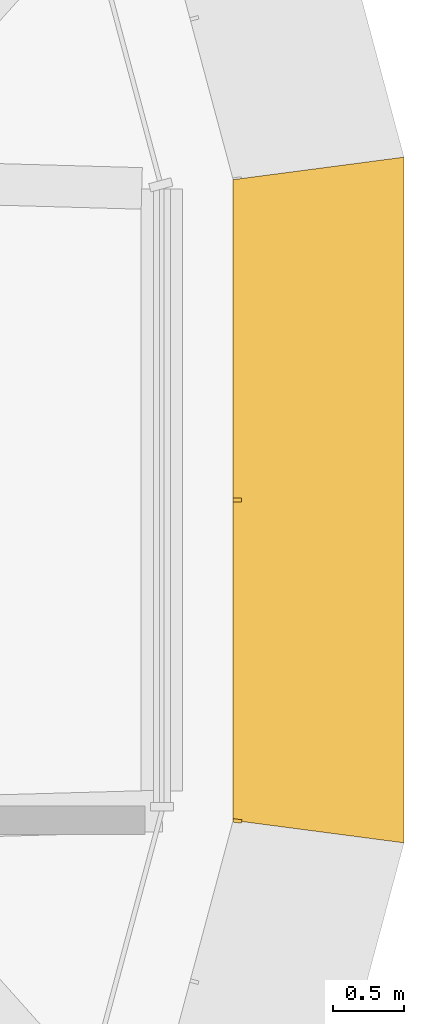
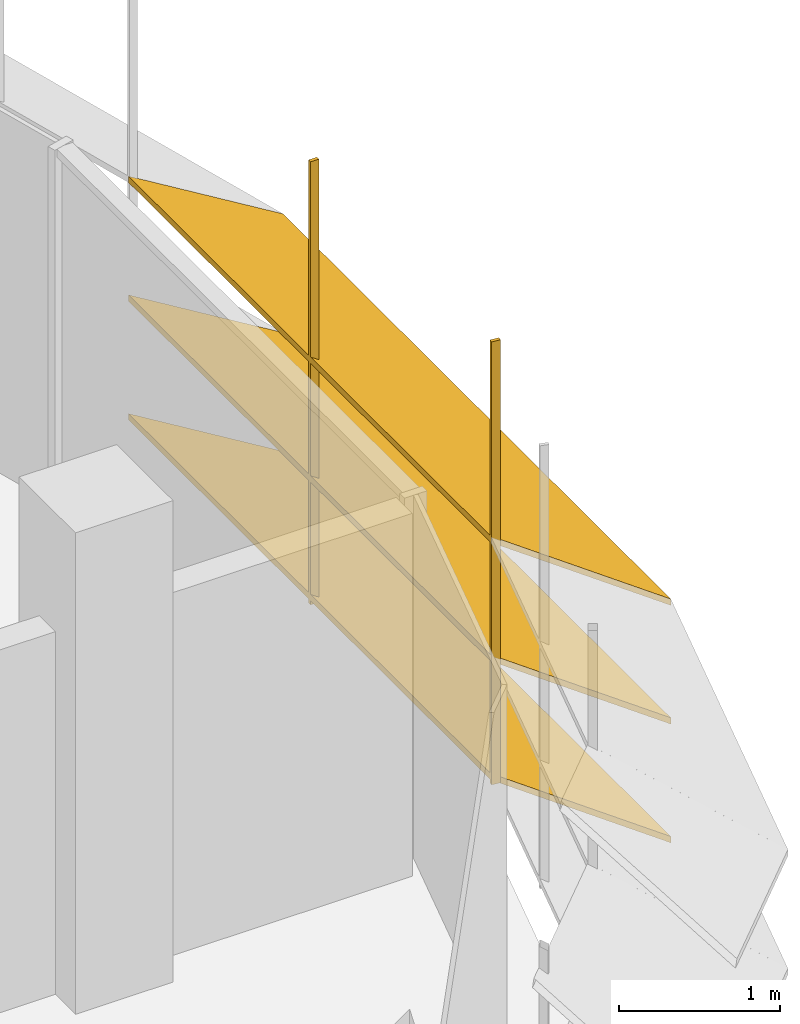
# One storey, part 19 of 19: 1 shading device.
"""IFC4 building model written with IfcOpenShell, lengths in metres."""

import ifcopenshell
import ifcopenshell.guid

model = None  # the IFC model being written
_history = None  # IfcOwnerHistory: only IFC2X3 demands one
_inside = {}  # id of a spatial element -> (the spatial element, [elements in it])
_under = {}  # id of a project, library or spatial element -> (it, [spatial elements below it])
_declared = {}  # id of a project -> (the project, [libraries it declares])
_typed = {}  # id of a type object -> (the type object, [elements of that type])
_made_of = {}  # id of a material, layer set ... -> (it, [elements and type objects made of it])


def new_model(schema):
    """Start an empty IFC model of exactly this schema.

    Asked for "IFC4X3", IfcOpenShell would pick the latest addendum, in which some entities
    have other attributes; the version numbers below select the first issue.
    IFC2X3 requires an IfcOwnerHistory on every rooted entity: one is made here for all.
    """
    global model, _history
    if schema == "IFC4X3":
        model = ifcopenshell.file(schema_version=(4, 3, 0, 0))
    else:
        model = ifcopenshell.file(schema=schema)
    _inside.clear()
    _under.clear()
    _declared.clear()
    _typed.clear()
    _made_of.clear()
    _history = None
    if model.schema == "IFC2X3":
        org = make("IfcOrganization", Name="unknown")
        user = make(
            "IfcPersonAndOrganization",
            ThePerson=make("IfcPerson", FamilyName="unknown"),
            TheOrganization=org,
        )
        app = make(
            "IfcApplication",
            ApplicationDeveloper=org,
            Version="unknown",
            ApplicationFullName="unknown",
            ApplicationIdentifier="unknown",
        )
        _history = make(
            "IfcOwnerHistory",
            OwningUser=user,
            OwningApplication=app,
            ChangeAction="ADDED",
            CreationDate=0,
        )
    return model


def make(cls, **values):
    """One entity of the class cls with the attributes given. An attribute that is None is left unset."""
    return model.create_entity(
        cls, **{name: value for name, value in values.items() if value is not None}
    )


def rooted(cls, **values):
    """An entity with a GlobalId (a new one), such as an element, a storey or a relation."""
    return make(cls, GlobalId=ifcopenshell.guid.new(), OwnerHistory=_history, **values)


def si_unit(unit_type, name, prefix=None):
    """IfcSIUnit, for example si_unit("LENGTHUNIT", "METRE", prefix="MILLI")."""
    return make("IfcSIUnit", UnitType=unit_type, Prefix=prefix, Name=name)


def assignment(units):
    """IfcUnitAssignment: the units of a project."""
    return None if units is None else make("IfcUnitAssignment", Units=units)


def point(xyz):
    """IfcCartesianPoint."""
    return None if xyz is None else make("IfcCartesianPoint", Coordinates=xyz)


def direction(xyz):
    """IfcDirection."""
    return None if xyz is None else make("IfcDirection", DirectionRatios=xyz)


def frame(location, z_axis=None, x_axis=None):
    """IfcAxis2Placement3D, a coordinate frame: its origin and axes. An axis left out is left unset."""
    return make(
        "IfcAxis2Placement3D",
        Location=point(location),
        Axis=direction(z_axis),
        RefDirection=direction(x_axis),
    )


def origin():
    """The frame at (0, 0, 0) with its axes left unset."""
    return frame((0.0, 0.0, 0.0))


def place(relative_to, where):
    """IfcLocalPlacement: puts the frame where relative to a parent placement (None: the world)."""
    return make(
        "IfcLocalPlacement", PlacementRelTo=relative_to, RelativePlacement=where
    )


def context(
    kind, dimensions, precision=None, world=None, true_north=None, identifier=None
):
    """IfcGeometricRepresentationContext, for example the 3D "Model" context."""
    return make(
        "IfcGeometricRepresentationContext",
        ContextIdentifier=identifier,
        ContextType=kind,
        CoordinateSpaceDimension=dimensions,
        Precision=precision,
        WorldCoordinateSystem=world,
        TrueNorth=true_north,
    )


def subcontext(parent, identifier, kind, view, scale=None):
    """IfcGeometricRepresentationSubContext, for example "Body" below "Model"."""
    return make(
        "IfcGeometricRepresentationSubContext",
        ContextIdentifier=identifier,
        ContextType=kind,
        ParentContext=parent,
        TargetScale=scale,
        TargetView=view,
    )


def project(units=None, contexts=None):
    """IfcProject with its units and contexts."""
    return rooted(
        "IfcProject",
        Name="project",
        RepresentationContexts=contexts,
        UnitsInContext=assignment(units),
    )


def spatial(cls, under=None, at=None, **own):
    """A site, building, storey or space (cls), placed at a placement, below another one or the project."""
    s = rooted(cls, ObjectPlacement=at, **own)
    if under is not None:
        _under.setdefault(under.id(), (under, []))[1].append(s)
    return s


def polyline(points):
    """IfcPolyline through the points."""
    return make("IfcPolyline", Points=[point(p) for p in points])


def outline(outer, holes=None, kind="AREA"):
    """IfcArbitraryClosedProfileDef: a profile drawn as a closed curve; with holes, ...WithVoids."""
    if holes is None:
        return make("IfcArbitraryClosedProfileDef", ProfileType=kind, OuterCurve=outer)
    return make(
        "IfcArbitraryProfileDefWithVoids",
        ProfileType=kind,
        OuterCurve=outer,
        InnerCurves=holes,
    )


def extrude(swept, where, along, depth):
    """IfcExtrudedAreaSolid: the profile swept, set in the frame where, extruded along a direction by depth."""
    return make(
        "IfcExtrudedAreaSolid",
        SweptArea=swept,
        Position=where,
        ExtrudedDirection=direction(along),
        Depth=depth,
    )


def faces_of(points, faces, orient=None, outer=None):
    """IfcFace entities. A face is a list of loops; a loop is a list of indices into points, from 0.

    orient and outer hold one flag for each loop. By default every Orientation is true, the
    first loop of a face is its IfcFaceOuterBound and the others are IfcFaceBound.
    """
    made = []
    for i, loops in enumerate(faces):
        bounds = []
        for j, loop in enumerate(loops):
            is_outer = j == 0 if outer is None else outer[i][j]
            bounds.append(
                make(
                    "IfcFaceOuterBound" if is_outer else "IfcFaceBound",
                    Bound=make("IfcPolyLoop", Polygon=[points[k] for k in loop]),
                    Orientation=True if orient is None else orient[i][j],
                )
            )
        made.append(make("IfcFace", Bounds=bounds))
    return made


def faceted_brep(points, faces, orient=None, outer=None, voids=None):
    """IfcFacetedBrep: a solid bounded by flat faces; with voids (closed shells), ...WithVoids."""
    shared = [point(p) for p in points]
    hull = make("IfcClosedShell", CfsFaces=faces_of(shared, faces, orient, outer))
    if voids is None:
        return make("IfcFacetedBrep", Outer=hull)
    return make(
        "IfcFacetedBrepWithVoids",
        Outer=hull,
        Voids=[
            make(cls, CfsFaces=faces_of(shared, fs, o, b)) for cls, fs, o, b in voids
        ],
    )


def shape(context_of_items, identifier, shape_type, items):
    """IfcShapeRepresentation: the items that make up one representation, for example the "Body"."""
    return make(
        "IfcShapeRepresentation",
        ContextOfItems=context_of_items,
        RepresentationIdentifier=identifier,
        RepresentationType=shape_type,
        Items=items,
    )


def source(mapping_origin, context_of_items, identifier, shape_type, items):
    """IfcRepresentationMap: a shape defined once, which mapped items show again and again."""
    return make(
        "IfcRepresentationMap",
        MappingOrigin=mapping_origin,
        MappedRepresentation=shape(context_of_items, identifier, shape_type, items),
    )


def transform(
    local_origin,
    x_axis=None,
    y_axis=None,
    z_axis=None,
    scale=None,
    scale2=None,
    scale3=None,
    uniform=True,
):
    """IfcCartesianTransformationOperator3D, or its non-uniform kind. x_axis, y_axis, z_axis: its Axis1, 2, 3."""
    if uniform:
        return make(
            "IfcCartesianTransformationOperator3D",
            Axis1=direction(x_axis),
            Axis2=direction(y_axis),
            LocalOrigin=point(local_origin),
            Scale=scale,
            Axis3=direction(z_axis),
        )
    return make(
        "IfcCartesianTransformationOperator3DnonUniform",
        Axis1=direction(x_axis),
        Axis2=direction(y_axis),
        LocalOrigin=point(local_origin),
        Scale=scale,
        Axis3=direction(z_axis),
        Scale2=scale2,
        Scale3=scale3,
    )


def mapped(mapping_source, mapping_target):
    """IfcMappedItem: shows the shape of a source again, moved by a transform."""
    return make(
        "IfcMappedItem", MappingSource=mapping_source, MappingTarget=mapping_target
    )


def material(Name=None, Category=None):
    """IfcMaterial."""
    return make("IfcMaterial", Name=Name, Category=Category)


def made_of(thing, what):
    """Note that an element or type object is made of a material, layer set ...; save() writes the relation."""
    if what is not None:
        _made_of.setdefault(what.id(), (what, []))[1].append(thing)
    return thing


def type_object(cls, material=None, **own):
    """A type object (cls), such as IfcWallType, which elements share."""
    return made_of(rooted(cls, **own), material)


def element(
    cls,
    number,
    at=None,
    inside=None,
    cuts=None,
    type_object=None,
    material=None,
    context=None,
    identifier="Body",
    shape_type=None,
    held_by="IfcProductDefinitionShape",
    body=None,
    shapes=None,
    **own,
):
    """One element of the class cls, such as IfcWall. Its Tag is "e" and its number.

    at: its placement. inside: the storey or other place that contains it. cuts: it is an
    opening in that element (IfcRelVoidsElement). A single representation is given by context,
    identifier, shape_type and body (its items); several are given by shapes. held_by: the class
    of the entity that holds the representations. save() writes the other relations.
    """
    e = rooted(cls, Tag="e%d" % number, ObjectPlacement=at, **own)
    if body is not None:
        shapes = [shape(context, identifier, shape_type, body)]
    if shapes is not None:
        e.Representation = make(held_by, Representations=shapes)
    if inside is not None:
        _inside.setdefault(inside.id(), (inside, []))[1].append(e)
    if cuts is not None:
        rooted(
            "IfcRelVoidsElement", RelatingBuildingElement=cuts, RelatedOpeningElement=e
        )
    if type_object is not None:
        _typed.setdefault(type_object.id(), (type_object, []))[1].append(e)
    return made_of(e, material)


def aggregate(whole, parts):
    """IfcRelAggregates: a whole, such as a stair, and the parts it consists of."""
    return rooted("IfcRelAggregates", RelatingObject=whole, RelatedObjects=parts)


def save(model, path):
    """Write the relations noted so far, then the file.

    IfcRelAggregates (storeys below a building ...), IfcRelContainedInSpatialStructure (elements
    in a storey), IfcRelDefinesByType, IfcRelAssociatesMaterial and IfcRelDeclares: one each for
    every whole, place, type object, material and project.
    """
    for whole, parts in _under.values():
        aggregate(whole, parts)
    for where, things in _inside.values():
        rooted(
            "IfcRelContainedInSpatialStructure",
            RelatedElements=things,
            RelatingStructure=where,
        )
    for kind, things in _typed.values():
        rooted("IfcRelDefinesByType", RelatedObjects=things, RelatingType=kind)
    for what, things in _made_of.values():
        rooted("IfcRelAssociatesMaterial", RelatedObjects=things, RelatingMaterial=what)
    for by, libraries in _declared.values():
        rooted("IfcRelDeclares", RelatingContext=by, RelatedDefinitions=libraries)
    model.write(path)


model = new_model("IFC4")

# Units and contexts
model_context = context("Model", 3, precision=1e-05, world=origin(), true_north=direction((0.0, 1.0)))
body_context = subcontext(model_context, "Body", "Model", "MODEL_VIEW")
ifc_project = project(units=[si_unit("LENGTHUNIT", "METRE"), si_unit("AREAUNIT", "SQUARE_METRE"), si_unit("VOLUMEUNIT", "CUBIC_METRE"), si_unit("PLANEANGLEUNIT", "RADIAN"), si_unit("MASSUNIT", "GRAM", prefix="KILO")], contexts=[model_context])

# Site, building, storey
site_placement = place(None, origin())
site = spatial("IfcSite", under=ifc_project, at=site_placement, CompositionType="ELEMENT")
building_placement = place(site_placement, origin())
building = spatial("IfcBuilding", under=site, at=building_placement, Name="Zarbagh Exchange Tower", CompositionType="ELEMENT")
storey_placement = place(building_placement, frame((0.0, 0.0, 222.0)))
storey = spatial("IfcBuildingStorey", under=building, at=storey_placement, Name="L54", CompositionType="ELEMENT", Elevation=222.0)

# Shading device
ifc_material = material(Name="Anodised aluminium blades and brackets", Category="aluminium")
shading_device_type = type_object("IfcShadingDeviceType", Name="SUNSHADE louvre band, 33.75 degree blades", PredefinedType="JALOUSIE", material=ifc_material)
shared_shape_1 = source(origin(), body_context, "Body", "Brep", [
    faceted_brep([(0.0, 0.0, 0.0), (0.0, 0.0, -0.048095703125), (-0.157958984375, -1.199951171875, -0.849853515625), (-0.157958984375, -1.199951171875, -0.8017578125), (4.657958984375, -1.199951171875, -0.8017578125), (4.657958984375, -1.199951171875, -0.849853515625), (4.5, 0.0, -0.048095703125), (4.5, 0.0, 0.0)], [[[0, 1, 2, 3]], [[4, 5, 6, 7]], [[0, 7, 6, 1]], [[1, 6, 5, 2]], [[2, 5, 4, 3]], [[3, 4, 7, 0]]]),
])
shared_shape_2 = source(origin(), body_context, "Body", "SweptSolid", [
    extrude(outline(polyline([(0.0, -0.012451171875), (0.06005859375, -0.012451171875), (0.06005859375, 0.012451171875), (0.0, 0.012451171875), (0.0, -0.012451171875)])), origin(), (0.0, 0.0, 1.0), 3.358154296875),
])
shading_device_placement = place(storey_placement, origin())
element("IfcShadingDevice", 1, at=shading_device_placement, inside=storey, type_object=shading_device_type, Name="SS32 sunshade band", PredefinedType="JALOUSIE", context=body_context, shape_type="MappedRepresentation", body=[
    mapped(shared_shape_1, transform((31.5, -2.25, 2.300048828125), x_axis=(0.0, 1.0, 0.0), y_axis=(-1.0, 0.0, 0.0), z_axis=(0.0, 0.0, 1.0))),
    mapped(shared_shape_1, transform((31.5, -2.25, 1.39990234375), x_axis=(0.0, 1.0, 0.0), y_axis=(-1.0, 0.0, 0.0), z_axis=(0.0, 0.0, 1.0))),
    mapped(shared_shape_1, transform((31.5, -2.25, 0.5), x_axis=(0.0, 1.0, 0.0), y_axis=(-1.0, 0.0, 0.0), z_axis=(0.0, 0.0, 1.0))),
    mapped(shared_shape_2, transform((31.5, -2.25, 0.421875), x_axis=(0.991444457092, -0.130529263012, 0.0), y_axis=(0.130529263012, 0.991444457092, 0.0), z_axis=(0.0, 0.0, 1.0))),
    mapped(shared_shape_2, transform((31.5, 0.0, 0.421875), x_axis=(1.0, 0.0, 0.0), y_axis=(0.0, 1.0, 0.0), z_axis=(0.0, 0.0, 1.0))),
])

save(model, "model.ifc")
